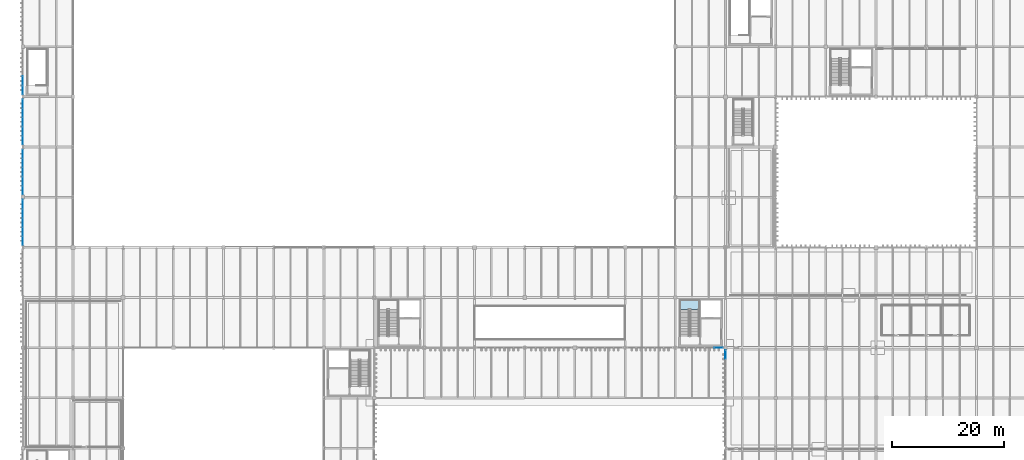
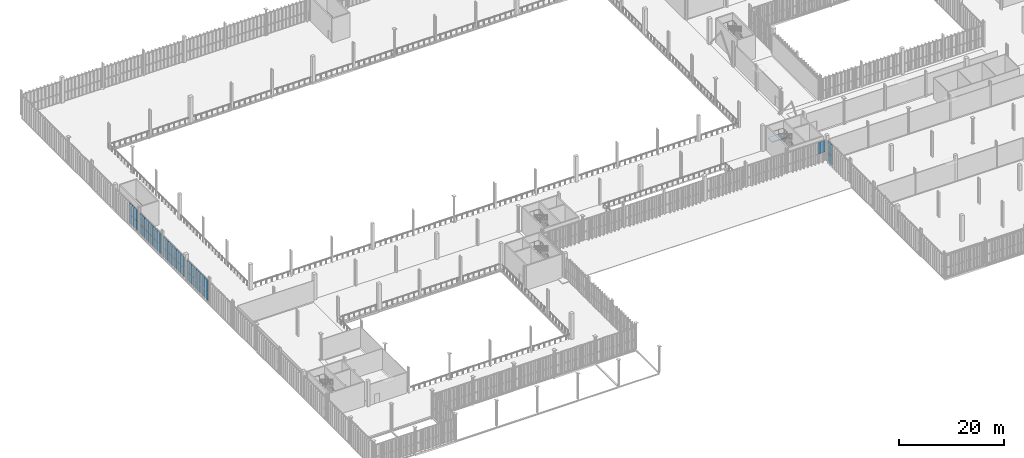
# One storey, part 156 of 211: 37 plates, 1 slab, 7 elements without a shape of their own.
"""IFC4 building model written with IfcOpenShell, lengths in metres."""

from ifc_helpers import new_model, si_unit, direction, frame, origin, origin_2d, place, context, subcontext, project, spatial, polyline, rectangle, outline, extrude, material, layer, layer_set, type_object, element, aggregate, save


model = new_model("IFC4")

# Units and contexts
model_context = context("Model", 3, precision=1e-05, world=origin(), true_north=direction((0.0, 1.0)))
body_context = subcontext(model_context, "Body", "Model", "MODEL_VIEW")
ifc_project = project(units=[si_unit("LENGTHUNIT", "METRE"), si_unit("AREAUNIT", "SQUARE_METRE"), si_unit("VOLUMEUNIT", "CUBIC_METRE"), si_unit("PLANEANGLEUNIT", "RADIAN"), si_unit("MASSUNIT", "GRAM", prefix="KILO")], contexts=[model_context])

# Site, building, storey
site_placement = place(None, origin())
site = spatial("IfcSite", under=ifc_project, at=site_placement, CompositionType="ELEMENT")
building_placement = place(site_placement, origin())
building = spatial("IfcBuilding", under=site, at=building_placement, Name="Barlavento Convention Centre", CompositionType="ELEMENT")
storey_placement = place(building_placement, frame((0.0, 0.0, 6.0)))
storey = spatial("IfcBuildingStorey", under=building, at=storey_placement, Name="L01", CompositionType="ELEMENT", Elevation=6.0)

# Curtain wall, plates
ifc_material_1 = material(Name="Powder-coated aluminium and Low-E glass", Category="aluminium")
ifc_layer_1 = layer(ifc_material_1, 0.179931640625)
ifc_layer_set_1 = layer_set([ifc_layer_1], Name="ARC-CW-EXH-L01")
curtain_wall_type_1 = type_object("IfcCurtainWallType", Name="ARC-CW-EXH-L01", PredefinedType="NOTDEFINED", material=ifc_layer_set_1)
curtain_wall_1_placement = place(storey_placement, origin())
curtain_wall_1 = element("IfcCurtainWall", 1, at=curtain_wall_1_placement, inside=storey, type_object=curtain_wall_type_1, Name="L01 unitised curtain wall CW04", PredefinedType="NOTDEFINED")
ifc_material_2 = material(Name="Double-silver Low-E insulated glass", Category="glass")
ifc_layer_2 = layer(ifc_material_2, 0.028076171875)
ifc_layer_set_2 = layer_set([ifc_layer_2], Name="ARC-CWP-GLZ28")
plate_type_1 = type_object("IfcPlateType", Name="ARC-CWP-GLZ28", PredefinedType="CURTAIN_PANEL", material=ifc_layer_set_2)
plate_1_placement = place(storey_placement, frame((0.0, 64.18115234375, 0.06005859375), z_axis=(0.0, 0.0, 1.0), x_axis=(0.0, 1.0, 0.0)))
plate_1 = element("IfcPlate", 2, at=plate_1_placement, type_object=plate_type_1, Name="CW04 panel 1.1", PredefinedType="CURTAIN_PANEL", context=body_context, shape_type="SweptSolid", body=[
    extrude(rectangle(XDim=1.548095703125, YDim=0.028076171875, at=origin_2d()), origin(), (0.0, 0.0, 1.0), 2.010009765625),
])
plate_2_placement = place(storey_placement, frame((0.0, 64.18115234375, 2.1298828125), z_axis=(0.0, 0.0, 1.0), x_axis=(0.0, 1.0, 0.0)))
plate_2 = element("IfcPlate", 3, at=plate_2_placement, type_object=plate_type_1, Name="CW04 panel 1.2", PredefinedType="CURTAIN_PANEL", context=body_context, shape_type="SweptSolid", body=[
    extrude(rectangle(XDim=1.548095703125, YDim=0.028076171875, at=origin_2d()), origin(), (0.0, 0.0, 1.0), 2.760009765625),
])
plate_3_placement = place(storey_placement, frame((0.0, 65.810302734375, 0.06005859375), z_axis=(0.0, 0.0, 1.0), x_axis=(0.0, 1.0, 0.0)))
plate_3 = element("IfcPlate", 4, at=plate_3_placement, type_object=plate_type_1, Name="CW04 panel 2.1", PredefinedType="CURTAIN_PANEL", context=body_context, shape_type="SweptSolid", body=[
    extrude(rectangle(XDim=1.58056640625, YDim=0.028076171875, at=origin_2d()), origin(), (0.0, 0.0, 1.0), 2.010009765625),
])
plate_4_placement = place(storey_placement, frame((0.0, 65.810302734375, 2.1298828125), z_axis=(0.0, 0.0, 1.0), x_axis=(0.0, 1.0, 0.0)))
plate_4 = element("IfcPlate", 5, at=plate_4_placement, type_object=plate_type_1, Name="CW04 panel 2.2", PredefinedType="CURTAIN_PANEL", context=body_context, shape_type="SweptSolid", body=[
    extrude(rectangle(XDim=1.58056640625, YDim=0.028076171875, at=origin_2d()), origin(), (0.0, 0.0, 1.0), 2.760009765625),
])
plate_5_placement = place(storey_placement, frame((0.0, 67.4560546875, 0.06005859375), z_axis=(0.0, 0.0, 1.0), x_axis=(0.0, 1.0, 0.0)))
plate_5 = element("IfcPlate", 6, at=plate_5_placement, type_object=plate_type_1, Name="CW04 panel 3.1", PredefinedType="CURTAIN_PANEL", context=body_context, shape_type="SweptSolid", body=[
    extrude(rectangle(XDim=1.58056640625, YDim=0.028076171875, at=origin_2d()), origin(), (0.0, 0.0, 1.0), 2.010009765625),
])
plate_6_placement = place(storey_placement, frame((0.0, 67.4560546875, 2.1298828125), z_axis=(0.0, 0.0, 1.0), x_axis=(0.0, 1.0, 0.0)))
plate_6 = element("IfcPlate", 7, at=plate_6_placement, type_object=plate_type_1, Name="CW04 panel 3.2", PredefinedType="CURTAIN_PANEL", context=body_context, shape_type="SweptSolid", body=[
    extrude(rectangle(XDim=1.58056640625, YDim=0.028076171875, at=origin_2d()), origin(), (0.0, 0.0, 1.0), 2.760009765625),
])
plate_7_placement = place(storey_placement, frame((0.0, 69.1015625, 0.06005859375), z_axis=(0.0, 0.0, 1.0), x_axis=(0.0, 1.0, 0.0)))
plate_7 = element("IfcPlate", 8, at=plate_7_placement, type_object=plate_type_1, Name="CW04 panel 4.1", PredefinedType="CURTAIN_PANEL", context=body_context, shape_type="SweptSolid", body=[
    extrude(rectangle(XDim=1.58056640625, YDim=0.028076171875, at=origin_2d()), origin(), (0.0, 0.0, 1.0), 2.010009765625),
])
plate_8_placement = place(storey_placement, frame((0.0, 69.1015625, 2.1298828125), z_axis=(0.0, 0.0, 1.0), x_axis=(0.0, 1.0, 0.0)))
plate_8 = element("IfcPlate", 9, at=plate_8_placement, type_object=plate_type_1, Name="CW04 panel 4.2", PredefinedType="CURTAIN_PANEL", context=body_context, shape_type="SweptSolid", body=[
    extrude(rectangle(XDim=1.58056640625, YDim=0.028076171875, at=origin_2d()), origin(), (0.0, 0.0, 1.0), 2.760009765625),
])
plate_9_placement = place(storey_placement, frame((0.0, 70.73095703125, 0.06005859375), z_axis=(0.0, 0.0, 1.0), x_axis=(0.0, 1.0, 0.0)))
plate_9 = element("IfcPlate", 10, at=plate_9_placement, type_object=plate_type_1, Name="CW04 panel 5.1", PredefinedType="CURTAIN_PANEL", context=body_context, shape_type="SweptSolid", body=[
    extrude(rectangle(XDim=1.548095703125, YDim=0.028076171875, at=origin_2d()), origin(), (0.0, 0.0, 1.0), 2.010009765625),
])
plate_10_placement = place(storey_placement, frame((0.0, 70.73095703125, 2.1298828125), z_axis=(0.0, 0.0, 1.0), x_axis=(0.0, 1.0, 0.0)))
plate_10 = element("IfcPlate", 11, at=plate_10_placement, type_object=plate_type_1, Name="CW04 panel 5.2", PredefinedType="CURTAIN_PANEL", context=body_context, shape_type="SweptSolid", body=[
    extrude(rectangle(XDim=1.548095703125, YDim=0.028076171875, at=origin_2d()), origin(), (0.0, 0.0, 1.0), 2.760009765625),
])
aggregate(curtain_wall_1, [plate_1, plate_2, plate_3, plate_4, plate_5, plate_6, plate_7, plate_8, plate_9, plate_10])

curtain_wall_2_placement = place(storey_placement, origin())
curtain_wall_2 = element("IfcCurtainWall", 12, at=curtain_wall_2_placement, inside=storey, type_object=curtain_wall_type_1, Name="L01 unitised curtain wall CW04", PredefinedType="NOTDEFINED")
plate_11_placement = place(storey_placement, frame((0.0, 73.26416015625, 0.06005859375), z_axis=(0.0, 0.0, 1.0), x_axis=(0.0, 1.0, 0.0)))
plate_11 = element("IfcPlate", 13, at=plate_11_placement, type_object=plate_type_1, Name="CW04 panel 1.1", PredefinedType="CURTAIN_PANEL", context=body_context, shape_type="SweptSolid", body=[
    extrude(rectangle(XDim=1.53857421875, YDim=0.028076171875, at=origin_2d()), origin(), (0.0, 0.0, 1.0), 2.010009765625),
])
plate_12_placement = place(storey_placement, frame((0.0, 73.26416015625, 2.1298828125), z_axis=(0.0, 0.0, 1.0), x_axis=(0.0, 1.0, 0.0)))
plate_12 = element("IfcPlate", 14, at=plate_12_placement, type_object=plate_type_1, Name="CW04 panel 1.2", PredefinedType="CURTAIN_PANEL", context=body_context, shape_type="SweptSolid", body=[
    extrude(rectangle(XDim=1.53857421875, YDim=0.028076171875, at=origin_2d()), origin(), (0.0, 0.0, 1.0), 2.760009765625),
])
plate_13_placement = place(storey_placement, frame((0.0, 74.884033203125, 0.06005859375), z_axis=(0.0, 0.0, 1.0), x_axis=(0.0, 1.0, 0.0)))
plate_13 = element("IfcPlate", 15, at=plate_13_placement, type_object=plate_type_1, Name="CW04 panel 2.1", PredefinedType="CURTAIN_PANEL", context=body_context, shape_type="SweptSolid", body=[
    extrude(rectangle(XDim=1.571044921875, YDim=0.028076171875, at=origin_2d()), origin(), (0.0, 0.0, 1.0), 2.010009765625),
])
plate_14_placement = place(storey_placement, frame((0.0, 74.884033203125, 2.1298828125), z_axis=(0.0, 0.0, 1.0), x_axis=(0.0, 1.0, 0.0)))
plate_14 = element("IfcPlate", 16, at=plate_14_placement, type_object=plate_type_1, Name="CW04 panel 2.2", PredefinedType="CURTAIN_PANEL", context=body_context, shape_type="SweptSolid", body=[
    extrude(rectangle(XDim=1.571044921875, YDim=0.028076171875, at=origin_2d()), origin(), (0.0, 0.0, 1.0), 2.760009765625),
])
plate_15_placement = place(storey_placement, frame((0.0, 76.52001953125, 0.06005859375), z_axis=(0.0, 0.0, 1.0), x_axis=(0.0, 1.0, 0.0)))
plate_15 = element("IfcPlate", 17, at=plate_15_placement, type_object=plate_type_1, Name="CW04 panel 3.1", PredefinedType="CURTAIN_PANEL", context=body_context, shape_type="SweptSolid", body=[
    extrude(rectangle(XDim=1.571044921875, YDim=0.028076171875, at=origin_2d()), origin(), (0.0, 0.0, 1.0), 2.010009765625),
])
plate_16_placement = place(storey_placement, frame((0.0, 76.52001953125, 2.1298828125), z_axis=(0.0, 0.0, 1.0), x_axis=(0.0, 1.0, 0.0)))
plate_16 = element("IfcPlate", 18, at=plate_16_placement, type_object=plate_type_1, Name="CW04 panel 3.2", PredefinedType="CURTAIN_PANEL", context=body_context, shape_type="SweptSolid", body=[
    extrude(rectangle(XDim=1.571044921875, YDim=0.028076171875, at=origin_2d()), origin(), (0.0, 0.0, 1.0), 2.760009765625),
])
plate_17_placement = place(storey_placement, frame((0.0, 78.156005859375, 0.06005859375), z_axis=(0.0, 0.0, 1.0), x_axis=(0.0, 1.0, 0.0)))
plate_17 = element("IfcPlate", 19, at=plate_17_placement, type_object=plate_type_1, Name="CW04 panel 4.1", PredefinedType="CURTAIN_PANEL", context=body_context, shape_type="SweptSolid", body=[
    extrude(rectangle(XDim=1.571044921875, YDim=0.028076171875, at=origin_2d()), origin(), (0.0, 0.0, 1.0), 2.010009765625),
])
plate_18_placement = place(storey_placement, frame((0.0, 78.156005859375, 2.1298828125), z_axis=(0.0, 0.0, 1.0), x_axis=(0.0, 1.0, 0.0)))
plate_18 = element("IfcPlate", 20, at=plate_18_placement, type_object=plate_type_1, Name="CW04 panel 4.2", PredefinedType="CURTAIN_PANEL", context=body_context, shape_type="SweptSolid", body=[
    extrude(rectangle(XDim=1.571044921875, YDim=0.028076171875, at=origin_2d()), origin(), (0.0, 0.0, 1.0), 2.760009765625),
])
plate_19_placement = place(storey_placement, frame((0.0, 79.775634765625, 0.06005859375), z_axis=(0.0, 0.0, 1.0), x_axis=(0.0, 1.0, 0.0)))
plate_19 = element("IfcPlate", 21, at=plate_19_placement, type_object=plate_type_1, Name="CW04 panel 5.1", PredefinedType="CURTAIN_PANEL", context=body_context, shape_type="SweptSolid", body=[
    extrude(rectangle(XDim=1.53857421875, YDim=0.028076171875, at=origin_2d()), origin(), (0.0, 0.0, 1.0), 2.010009765625),
])
plate_20_placement = place(storey_placement, frame((0.0, 79.775634765625, 2.1298828125), z_axis=(0.0, 0.0, 1.0), x_axis=(0.0, 1.0, 0.0)))
plate_20 = element("IfcPlate", 22, at=plate_20_placement, type_object=plate_type_1, Name="CW04 panel 5.2", PredefinedType="CURTAIN_PANEL", context=body_context, shape_type="SweptSolid", body=[
    extrude(rectangle(XDim=1.53857421875, YDim=0.028076171875, at=origin_2d()), origin(), (0.0, 0.0, 1.0), 2.760009765625),
])
aggregate(curtain_wall_2, [plate_11, plate_12, plate_13, plate_14, plate_15, plate_16, plate_17, plate_18, plate_19, plate_20])

curtain_wall_3_placement = place(storey_placement, origin())
curtain_wall_3 = element("IfcCurtainWall", 23, at=curtain_wall_3_placement, inside=storey, type_object=curtain_wall_type_1, Name="L01 unitised curtain wall CW04", PredefinedType="NOTDEFINED")
plate_21_placement = place(storey_placement, frame((0.0, 82.229248046875, 0.06005859375), z_axis=(0.0, 0.0, 1.0), x_axis=(0.0, 1.0, 0.0)))
plate_21 = element("IfcPlate", 24, at=plate_21_placement, type_object=plate_type_1, Name="CW04 panel 1.1", PredefinedType="CURTAIN_PANEL", context=body_context, shape_type="SweptSolid", body=[
    extrude(rectangle(XDim=1.548583984375, YDim=0.028076171875, at=origin_2d()), origin(), (0.0, 0.0, 1.0), 2.010009765625),
])
plate_22_placement = place(storey_placement, frame((0.0, 82.229248046875, 2.1298828125), z_axis=(0.0, 0.0, 1.0), x_axis=(0.0, 1.0, 0.0)))
plate_22 = element("IfcPlate", 25, at=plate_22_placement, type_object=plate_type_1, Name="CW04 panel 1.2", PredefinedType="CURTAIN_PANEL", context=body_context, shape_type="SweptSolid", body=[
    extrude(rectangle(XDim=1.548583984375, YDim=0.028076171875, at=origin_2d()), origin(), (0.0, 0.0, 1.0), 2.760009765625),
])
plate_23_placement = place(storey_placement, frame((0.0, 83.85888671875, 0.06005859375), z_axis=(0.0, 0.0, 1.0), x_axis=(0.0, 1.0, 0.0)))
plate_23 = element("IfcPlate", 26, at=plate_23_placement, type_object=plate_type_1, Name="CW04 panel 2.1", PredefinedType="CURTAIN_PANEL", context=body_context, shape_type="SweptSolid", body=[
    extrude(rectangle(XDim=1.5810546875, YDim=0.028076171875, at=origin_2d()), origin(), (0.0, 0.0, 1.0), 2.010009765625),
])
plate_24_placement = place(storey_placement, frame((0.0, 83.85888671875, 2.1298828125), z_axis=(0.0, 0.0, 1.0), x_axis=(0.0, 1.0, 0.0)))
plate_24 = element("IfcPlate", 27, at=plate_24_placement, type_object=plate_type_1, Name="CW04 panel 2.2", PredefinedType="CURTAIN_PANEL", context=body_context, shape_type="SweptSolid", body=[
    extrude(rectangle(XDim=1.5810546875, YDim=0.028076171875, at=origin_2d()), origin(), (0.0, 0.0, 1.0), 2.760009765625),
])
plate_25_placement = place(storey_placement, frame((0.0, 85.5048828125, 0.06005859375), z_axis=(0.0, 0.0, 1.0), x_axis=(0.0, 1.0, 0.0)))
plate_25 = element("IfcPlate", 28, at=plate_25_placement, type_object=plate_type_1, Name="CW04 panel 3.1", PredefinedType="CURTAIN_PANEL", context=body_context, shape_type="SweptSolid", body=[
    extrude(rectangle(XDim=1.5810546875, YDim=0.028076171875, at=origin_2d()), origin(), (0.0, 0.0, 1.0), 2.010009765625),
])
plate_26_placement = place(storey_placement, frame((0.0, 85.5048828125, 2.1298828125), z_axis=(0.0, 0.0, 1.0), x_axis=(0.0, 1.0, 0.0)))
plate_26 = element("IfcPlate", 29, at=plate_26_placement, type_object=plate_type_1, Name="CW04 panel 3.2", PredefinedType="CURTAIN_PANEL", context=body_context, shape_type="SweptSolid", body=[
    extrude(rectangle(XDim=1.5810546875, YDim=0.028076171875, at=origin_2d()), origin(), (0.0, 0.0, 1.0), 2.760009765625),
])
plate_27_placement = place(storey_placement, frame((0.0, 87.15087890625, 0.06005859375), z_axis=(0.0, 0.0, 1.0), x_axis=(0.0, 1.0, 0.0)))
plate_27 = element("IfcPlate", 30, at=plate_27_placement, type_object=plate_type_1, Name="CW04 panel 4.1", PredefinedType="CURTAIN_PANEL", context=body_context, shape_type="SweptSolid", body=[
    extrude(rectangle(XDim=1.5810546875, YDim=0.028076171875, at=origin_2d()), origin(), (0.0, 0.0, 1.0), 2.010009765625),
])
plate_28_placement = place(storey_placement, frame((0.0, 87.15087890625, 2.1298828125), z_axis=(0.0, 0.0, 1.0), x_axis=(0.0, 1.0, 0.0)))
plate_28 = element("IfcPlate", 31, at=plate_28_placement, type_object=plate_type_1, Name="CW04 panel 4.2", PredefinedType="CURTAIN_PANEL", context=body_context, shape_type="SweptSolid", body=[
    extrude(rectangle(XDim=1.5810546875, YDim=0.028076171875, at=origin_2d()), origin(), (0.0, 0.0, 1.0), 2.760009765625),
])
plate_29_placement = place(storey_placement, frame((0.0, 88.78076171875, 0.06005859375), z_axis=(0.0, 0.0, 1.0), x_axis=(0.0, 1.0, 0.0)))
plate_29 = element("IfcPlate", 32, at=plate_29_placement, type_object=plate_type_1, Name="CW04 panel 5.1", PredefinedType="CURTAIN_PANEL", context=body_context, shape_type="SweptSolid", body=[
    extrude(rectangle(XDim=1.548583984375, YDim=0.028076171875, at=origin_2d()), origin(), (0.0, 0.0, 1.0), 2.010009765625),
])
plate_30_placement = place(storey_placement, frame((0.0, 88.78076171875, 2.1298828125), z_axis=(0.0, 0.0, 1.0), x_axis=(0.0, 1.0, 0.0)))
plate_30 = element("IfcPlate", 33, at=plate_30_placement, type_object=plate_type_1, Name="CW04 panel 5.2", PredefinedType="CURTAIN_PANEL", context=body_context, shape_type="SweptSolid", body=[
    extrude(rectangle(XDim=1.548583984375, YDim=0.028076171875, at=origin_2d()), origin(), (0.0, 0.0, 1.0), 2.760009765625),
])
aggregate(curtain_wall_3, [plate_21, plate_22, plate_23, plate_24, plate_25, plate_26, plate_27, plate_28, plate_29, plate_30])

curtain_wall_4_placement = place(storey_placement, origin())
curtain_wall_4 = element("IfcCurtainWall", 34, at=curtain_wall_4_placement, inside=storey, type_object=curtain_wall_type_1, Name="L01 unitised curtain wall CW04", PredefinedType="NOTDEFINED")
plate_31_placement = place(storey_placement, frame((0.0, 91.22021484375, 0.06005859375), z_axis=(0.0, 0.0, 1.0), x_axis=(0.0, 1.0, 0.0)))
plate_31 = element("IfcPlate", 35, at=plate_31_placement, type_object=plate_type_1, Name="CW04 panel 1.1", PredefinedType="CURTAIN_PANEL", context=body_context, shape_type="SweptSolid", body=[
    extrude(rectangle(XDim=1.550537109375, YDim=0.028076171875, at=origin_2d()), origin(), (0.0, 0.0, 1.0), 2.010009765625),
])
plate_32_placement = place(storey_placement, frame((0.0, 91.22021484375, 2.1298828125), z_axis=(0.0, 0.0, 1.0), x_axis=(0.0, 1.0, 0.0)))
plate_32 = element("IfcPlate", 36, at=plate_32_placement, type_object=plate_type_1, Name="CW04 panel 1.2", PredefinedType="CURTAIN_PANEL", context=body_context, shape_type="SweptSolid", body=[
    extrude(rectangle(XDim=1.550537109375, YDim=0.028076171875, at=origin_2d()), origin(), (0.0, 0.0, 1.0), 2.760009765625),
])
plate_33_placement = place(storey_placement, frame((0.0, 92.85205078125, 0.06005859375), z_axis=(0.0, 0.0, 1.0), x_axis=(0.0, 1.0, 0.0)))
plate_33 = element("IfcPlate", 37, at=plate_33_placement, type_object=plate_type_1, Name="CW04 panel 2.1", PredefinedType="CURTAIN_PANEL", context=body_context, shape_type="SweptSolid", body=[
    extrude(rectangle(XDim=1.5830078125, YDim=0.028076171875, at=origin_2d()), origin(), (0.0, 0.0, 1.0), 2.010009765625),
])
plate_34_placement = place(storey_placement, frame((0.0, 92.85205078125, 2.1298828125), z_axis=(0.0, 0.0, 1.0), x_axis=(0.0, 1.0, 0.0)))
plate_34 = element("IfcPlate", 38, at=plate_34_placement, type_object=plate_type_1, Name="CW04 panel 2.2", PredefinedType="CURTAIN_PANEL", context=body_context, shape_type="SweptSolid", body=[
    extrude(rectangle(XDim=1.5830078125, YDim=0.028076171875, at=origin_2d()), origin(), (0.0, 0.0, 1.0), 2.760009765625),
])
aggregate(curtain_wall_4, [plate_31, plate_32, plate_33, plate_34])

# Curtain wall, plate
ifc_layer_3 = layer(ifc_material_1, 0.195068359375)
ifc_layer_set_3 = layer_set([ifc_layer_3], Name="ARC-CW-FOY-L01")
curtain_wall_type_2 = type_object("IfcCurtainWallType", Name="ARC-CW-FOY-L01", PredefinedType="NOTDEFINED", material=ifc_layer_set_3)
curtain_wall_5_placement = place(storey_placement, origin())
curtain_wall_5 = element("IfcCurtainWall", 39, at=curtain_wall_5_placement, inside=storey, type_object=curtain_wall_type_2, Name="L01 unitised curtain wall CW03", PredefinedType="NOTDEFINED")
ifc_material_3 = material(Name="Double-silver Low-E acoustic laminated glass", Category="glass")
ifc_layer_4 = layer(ifc_material_3, 0.031982421875)
ifc_layer_set_4 = layer_set([ifc_layer_4], Name="ARC-CWP-GLZ32")
plate_type_2 = type_object("IfcPlateType", Name="ARC-CWP-GLZ32", PredefinedType="CURTAIN_PANEL", material=ifc_layer_set_4)
plate_35_placement = place(storey_placement, frame((124.77978515625, 45.0, 2.132568359375), z_axis=(0.0, 0.0, 1.0), x_axis=(1.0, 0.0, 0.0)))
plate_35 = element("IfcPlate", 40, at=plate_35_placement, type_object=plate_type_2, Name="CW03 panel 5.2", PredefinedType="CURTAIN_PANEL", context=body_context, shape_type="SweptSolid", body=[
    extrude(rectangle(XDim=1.550537109375, YDim=0.031982421875, at=origin_2d()), origin(), (0.0, 0.0, 1.0), 2.75244140625),
])
aggregate(curtain_wall_5, [plate_35])

# Curtain wall, plates
ifc_layer_5 = layer(ifc_material_1, 0.18994140625)
ifc_layer_set_5 = layer_set([ifc_layer_5], Name="ARC-CW-BALL-L01")
curtain_wall_type_3 = type_object("IfcCurtainWallType", Name="ARC-CW-BALL-L01", PredefinedType="NOTDEFINED", material=ifc_layer_set_5)
curtain_wall_6_placement = place(storey_placement, origin())
curtain_wall_6 = element("IfcCurtainWall", 41, at=curtain_wall_6_placement, inside=storey, type_object=curtain_wall_type_3, Name="L01 unitised curtain wall CW06", PredefinedType="NOTDEFINED")
plate_36_placement = place(storey_placement, frame((126.0, 43.77978515625, 0.06494140625), z_axis=(0.0, 0.0, 1.0), x_axis=(0.0, 1.0, 0.0)))
plate_36 = element("IfcPlate", 42, at=plate_36_placement, type_object=plate_type_2, Name="CW06 panel 5.1", PredefinedType="CURTAIN_PANEL", context=body_context, shape_type="SweptSolid", body=[
    extrude(rectangle(XDim=1.550537109375, YDim=0.031982421875, at=origin_2d()), origin(), (0.0, 0.0, 1.0), 2.00244140625),
])
plate_37_placement = place(storey_placement, frame((126.0, 43.77978515625, 2.132568359375), z_axis=(0.0, 0.0, 1.0), x_axis=(0.0, 1.0, 0.0)))
plate_37 = element("IfcPlate", 43, at=plate_37_placement, type_object=plate_type_2, Name="CW06 panel 5.2", PredefinedType="CURTAIN_PANEL", context=body_context, shape_type="SweptSolid", body=[
    extrude(rectangle(XDim=1.550537109375, YDim=0.031982421875, at=origin_2d()), origin(), (0.0, 0.0, 1.0), 2.75244140625),
])
aggregate(curtain_wall_6, [plate_36, plate_37])

# Stair, slab
ifc_material_4 = material(Name="Concrete C40/50", Category="concrete")
stair_type = type_object("IfcStairType", Name="ARC-STR-DOG-1620", PredefinedType="HALF_TURN_STAIR", material=ifc_material_4)
stair_placement = place(storey_placement, origin())
stair = element("IfcStair", 44, at=stair_placement, inside=storey, type_object=stair_type, Name="L01 ST04", PredefinedType="HALF_TURN_STAIR")
ifc_layer_6 = layer(ifc_material_4, 0.199951171875)
ifc_layer_set_6 = layer_set([ifc_layer_6], Name="ARC-SLB-LND-200")
slab_type = type_object("IfcSlabType", Name="ARC-SLB-LND-200", PredefinedType="LANDING", material=ifc_layer_set_6)
slab_placement = place(storey_placement, frame((0.0, 0.0, 2.800048828125)))
slab = element("IfcSlab", 45, at=slab_placement, type_object=slab_type, Name="ST04 landing 1", PredefinedType="LANDING", context=body_context, shape_type="SweptSolid", body=[
    extrude(outline(polyline([(121.2900390625, 51.85009765625), (121.2900390625, 53.530029296875), (117.85009765625, 53.530029296875), (117.85009765625, 51.85009765625), (121.2900390625, 51.85009765625)])), origin(), (0.0, 0.0, 1.0), 0.199951171875),
])
aggregate(stair, [slab])

save(model, "model.ifc")
